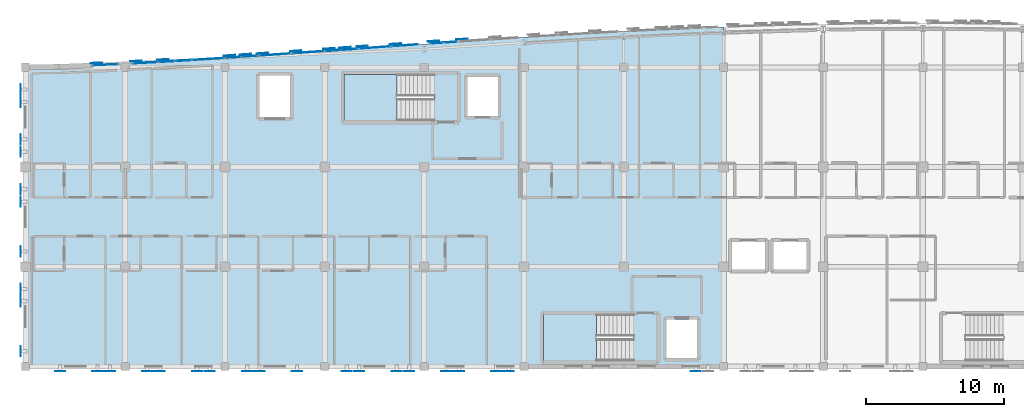
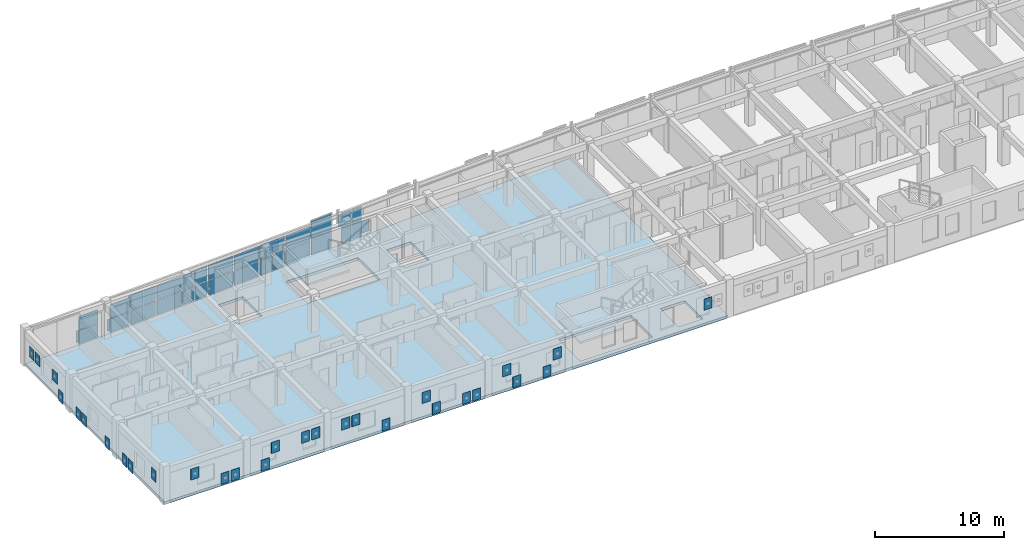
# One storey, part 31 of 48: 72 plates, 3 slabs, 13 elements without a shape of their own.
"""IFC4 building model written with IfcOpenShell, lengths in metres."""

from ifc_helpers import new_model, si_unit, direction, frame, origin, origin_2d, place, context, subcontext, project, spatial, polyline, rectangle, outline, extrude, material, layer, layer_set, type_object, element, aggregate, save


model = new_model("IFC4")

# Units and contexts
model_context = context("Model", 3, precision=1e-05, world=origin(), true_north=direction((0.0, 1.0)))
body_context = subcontext(model_context, "Body", "Model", "MODEL_VIEW")
ifc_project = project(units=[si_unit("LENGTHUNIT", "METRE"), si_unit("AREAUNIT", "SQUARE_METRE"), si_unit("VOLUMEUNIT", "CUBIC_METRE"), si_unit("PLANEANGLEUNIT", "RADIAN"), si_unit("MASSUNIT", "GRAM", prefix="KILO")], contexts=[model_context])

# Site, building, storey
site_placement = place(None, origin())
site = spatial("IfcSite", under=ifc_project, at=site_placement, CompositionType="ELEMENT")
building_placement = place(site_placement, origin())
building = spatial("IfcBuilding", under=site, at=building_placement, Name="Carrowvane Square Congress Hotel", CompositionType="ELEMENT")
storey_placement = place(building_placement, frame((0.0, 0.0, 26.39990234375)))
storey = spatial("IfcBuildingStorey", under=building, at=storey_placement, Name="L06", CompositionType="ELEMENT", Elevation=26.39990234375)

# Curtain wall, plates
ifc_material_1 = material(Name="Anodised aluminium", Category="aluminium")
ifc_layer_1 = layer(ifc_material_1, 0.162109375)
ifc_layer_set_1 = layer_set([ifc_layer_1], Name="Anodised aluminium")
curtain_wall_type_1 = type_object("IfcCurtainWallType", Name="CW-SYS-1", PredefinedType="NOTDEFINED", material=ifc_layer_set_1)
curtain_wall_1_placement = place(storey_placement, origin())
curtain_wall_1 = element("IfcCurtainWall", 1, at=curtain_wall_1_placement, inside=storey, type_object=curtain_wall_type_1, Name="L06 unitised curtain wall 360", PredefinedType="NOTDEFINED")
ifc_material_2 = material(Name="Double-glazed low-E glass", Category="glass")
ifc_layer_2 = layer(ifc_material_2, 0.028076171875)
ifc_layer_set_2 = layer_set([ifc_layer_2], Name="Double-glazed low-E glass")
plate_type_1 = type_object("IfcPlateType", Name="CW-PAN-1", PredefinedType="CURTAIN_PANEL", material=ifc_layer_set_2)
plate_1_placement = place(storey_placement, frame((46.39990234375, 113.999267578125, 0.06005859375), z_axis=(0.0, 0.0, 1.0), x_axis=(0.997996225303, 0.063273487972, 0.0)))
plate_1 = element("IfcPlate", 2, at=plate_1_placement, type_object=plate_type_1, Name="CW-1 panel 1.1", PredefinedType="CURTAIN_PANEL", context=body_context, shape_type="SweptSolid", body=[
    extrude(rectangle(XDim=2.284912109375, YDim=0.028076171875, at=origin_2d()), origin(), (0.0, 0.0, 1.0), 1.372802734375),
])
plate_2_placement = place(storey_placement, frame((46.39990234375, 113.999267578125, 1.49267578125), z_axis=(0.0, 0.0, 1.0), x_axis=(0.997996225303, 0.063273487972, 0.0)))
plate_2 = element("IfcPlate", 3, at=plate_2_placement, type_object=plate_type_1, Name="CW-1 panel 1.2", PredefinedType="CURTAIN_PANEL", context=body_context, shape_type="SweptSolid", body=[
    extrude(rectangle(XDim=2.284912109375, YDim=0.028076171875, at=origin_2d()), origin(), (0.0, 0.0, 1.0), 1.372802734375),
])
aggregate(curtain_wall_1, [plate_1, plate_2])

ifc_material_3 = material(Name="Anodised aluminium", Category="aluminium")
ifc_layer_3 = layer(ifc_material_3, 0.221923828125)
ifc_layer_set_3 = layer_set([ifc_layer_3], Name="Anodised aluminium")
curtain_wall_type_2 = type_object("IfcCurtainWallType", Name="CW-SYS-6", PredefinedType="NOTDEFINED", material=ifc_layer_set_3)
curtain_wall_2_placement = place(storey_placement, origin())
curtain_wall_2 = element("IfcCurtainWall", 4, at=curtain_wall_2_placement, inside=storey, type_object=curtain_wall_type_2, Name="L06 unitised curtain wall 365", PredefinedType="NOTDEFINED")
plate_3_placement = place(storey_placement, frame((58.39990234375, 114.8291015625, 0.070068359375), z_axis=(0.0, 0.0, 1.0), x_axis=(0.997438322595, 0.071531759512, 0.0)))
plate_3 = element("IfcPlate", 5, at=plate_3_placement, type_object=plate_type_1, Name="CW-6 panel 1.1", PredefinedType="CURTAIN_PANEL", context=body_context, shape_type="SweptSolid", body=[
    extrude(rectangle(XDim=2.26611328125, YDim=0.028076171875, at=origin_2d()), origin(), (0.0, 0.0, 1.0), 1.35791015625),
])
plate_4_placement = place(storey_placement, frame((58.39990234375, 114.8291015625, 1.497802734375), z_axis=(0.0, 0.0, 1.0), x_axis=(0.997438322595, 0.071531759512, 0.0)))
plate_4 = element("IfcPlate", 6, at=plate_4_placement, type_object=plate_type_1, Name="CW-6 panel 1.2", PredefinedType="CURTAIN_PANEL", context=body_context, shape_type="SweptSolid", body=[
    extrude(rectangle(XDim=2.26611328125, YDim=0.028076171875, at=origin_2d()), origin(), (0.0, 0.0, 1.0), 1.35791015625),
])
aggregate(curtain_wall_2, [plate_3, plate_4])

ifc_material_4 = material(Name="Anodised aluminium", Category="aluminium")
ifc_layer_4 = layer(ifc_material_4, 0.174072265625)
ifc_layer_set_4 = layer_set([ifc_layer_4], Name="Anodised aluminium")
curtain_wall_type_3 = type_object("IfcCurtainWallType", Name="CW-SYS-2", PredefinedType="NOTDEFINED", material=ifc_layer_set_4)
curtain_wall_3_placement = place(storey_placement, origin())
curtain_wall_3 = element("IfcCurtainWall", 7, at=curtain_wall_3_placement, inside=storey, type_object=curtain_wall_type_3, Name="L06 unitised curtain wall 361", PredefinedType="NOTDEFINED")
ifc_material_5 = material(Name="Double-glazed low-E glass", Category="glass")
ifc_layer_5 = layer(ifc_material_5, 0.031982421875)
ifc_layer_set_5 = layer_set([ifc_layer_5], Name="Double-glazed low-E glass")
plate_type_2 = type_object("IfcPlateType", Name="CW-PAN-2", PredefinedType="CURTAIN_PANEL", material=ifc_layer_set_5)
plate_5_placement = place(storey_placement, frame((48.217529296875, 114.116455078125, 0.070068359375), z_axis=(0.0, 0.0, 1.0), x_axis=(0.99778121937, 0.066578061501, 0.0)))
plate_5 = element("IfcPlate", 8, at=plate_5_placement, type_object=plate_type_2, Name="CW-2 panel 1.1", PredefinedType="CURTAIN_PANEL", context=body_context, shape_type="SweptSolid", body=[
    extrude(rectangle(XDim=1.09765625, YDim=0.031982421875, at=origin_2d()), origin(), (0.0, 0.0, 1.0), 1.35791015625),
])
plate_6_placement = place(storey_placement, frame((48.217529296875, 114.116455078125, 1.497802734375), z_axis=(0.0, 0.0, 1.0), x_axis=(0.99778121937, 0.066578061501, 0.0)))
plate_6 = element("IfcPlate", 9, at=plate_6_placement, type_object=plate_type_2, Name="CW-2 panel 1.2", PredefinedType="CURTAIN_PANEL", context=body_context, shape_type="SweptSolid", body=[
    extrude(rectangle(XDim=1.09765625, YDim=0.031982421875, at=origin_2d()), origin(), (0.0, 0.0, 1.0), 1.35791015625),
])
plate_7_placement = place(storey_placement, frame((49.382568359375, 114.1943359375, 0.070068359375), z_axis=(0.0, 0.0, 1.0), x_axis=(0.99778121937, 0.066578061501, 0.0)))
plate_7 = element("IfcPlate", 10, at=plate_7_placement, type_object=plate_type_2, Name="CW-2 panel 2.1", PredefinedType="CURTAIN_PANEL", context=body_context, shape_type="SweptSolid", body=[
    extrude(rectangle(XDim=1.09765625, YDim=0.031982421875, at=origin_2d()), origin(), (0.0, 0.0, 1.0), 1.35791015625),
])
plate_8_placement = place(storey_placement, frame((49.382568359375, 114.1943359375, 1.497802734375), z_axis=(0.0, 0.0, 1.0), x_axis=(0.99778121937, 0.066578061501, 0.0)))
plate_8 = element("IfcPlate", 11, at=plate_8_placement, type_object=plate_type_2, Name="CW-2 panel 2.2", PredefinedType="CURTAIN_PANEL", context=body_context, shape_type="SweptSolid", body=[
    extrude(rectangle(XDim=1.09765625, YDim=0.031982421875, at=origin_2d()), origin(), (0.0, 0.0, 1.0), 1.35791015625),
])
aggregate(curtain_wall_3, [plate_5, plate_6, plate_7, plate_8])

ifc_material_6 = material(Name="Anodised aluminium", Category="aluminium")
ifc_layer_6 = layer(ifc_material_6, 0.23388671875)
ifc_layer_set_6 = layer_set([ifc_layer_6], Name="Anodised aluminium")
curtain_wall_type_4 = type_object("IfcCurtainWallType", Name="CW-SYS-7", PredefinedType="NOTDEFINED", material=ifc_layer_set_6)
curtain_wall_4_placement = place(storey_placement, origin())
curtain_wall_4 = element("IfcCurtainWall", 12, at=curtain_wall_4_placement, inside=storey, type_object=curtain_wall_type_4, Name="L06 unitised curtain wall 366", PredefinedType="NOTDEFINED")
plate_9_placement = place(storey_placement, frame((60.5947265625, 114.986083984375, 0.06005859375), z_axis=(0.0, 0.0, 1.0), x_axis=(0.997479146426, 0.070960217342, 0.0)))
plate_9 = element("IfcPlate", 13, at=plate_9_placement, type_object=plate_type_2, Name="CW-7 panel 1.1", PredefinedType="CURTAIN_PANEL", context=body_context, shape_type="SweptSolid", body=[
    extrude(rectangle(XDim=1.87451171875, YDim=0.031982421875, at=origin_2d()), origin(), (0.0, 0.0, 1.0), 1.5849609375),
])
plate_10_placement = place(storey_placement, frame((60.5947265625, 114.986083984375, 1.705078125), z_axis=(0.0, 0.0, 1.0), x_axis=(0.997479146426, 0.070960217342, 0.0)))
plate_10 = element("IfcPlate", 14, at=plate_10_placement, type_object=plate_type_2, Name="CW-7 panel 1.2", PredefinedType="CURTAIN_PANEL", context=body_context, shape_type="SweptSolid", body=[
    extrude(rectangle(XDim=1.87451171875, YDim=0.031982421875, at=origin_2d()), origin(), (0.0, 0.0, 1.0), 1.5849609375),
])
aggregate(curtain_wall_4, [plate_9, plate_10])

curtain_wall_5_placement = place(storey_placement, origin())
curtain_wall_5 = element("IfcCurtainWall", 15, at=curtain_wall_5_placement, inside=storey, type_object=curtain_wall_type_2, Name="L06 unitised curtain wall 357", PredefinedType="NOTDEFINED")
ifc_material_7 = material(Name="Double-glazed low-E glass", Category="glass")
ifc_layer_7 = layer(ifc_material_7, 0.035888671875)
ifc_layer_set_7 = layer_set([ifc_layer_7], Name="Double-glazed low-E glass")
plate_type_3 = type_object("IfcPlateType", Name="CW-PAN-3", PredefinedType="CURTAIN_PANEL", material=ifc_layer_set_7)
plate_11_placement = place(storey_placement, frame((38.955810546875, 113.58544921875, 0.0703125), z_axis=(0.0, 0.0, 1.0), x_axis=(0.998917263935, 0.046522035775, 0.0)))
plate_11 = element("IfcPlate", 16, at=plate_11_placement, type_object=plate_type_3, Name="CW-6 panel 1.1", PredefinedType="CURTAIN_PANEL", context=body_context, shape_type="SweptSolid", body=[
    extrude(rectangle(XDim=1.7734375, YDim=0.035888671875, at=origin_2d()), origin(), (0.0, 0.0, 1.0), 1.262451171875),
])
plate_12_placement = place(storey_placement, frame((38.955810546875, 113.58544921875, 1.40283203125), z_axis=(0.0, 0.0, 1.0), x_axis=(0.998917263935, 0.046522035775, 0.0)))
plate_12 = element("IfcPlate", 17, at=plate_12_placement, type_object=plate_type_3, Name="CW-6 panel 1.2", PredefinedType="CURTAIN_PANEL", context=body_context, shape_type="SweptSolid", body=[
    extrude(rectangle(XDim=1.7734375, YDim=0.035888671875, at=origin_2d()), origin(), (0.0, 0.0, 1.0), 1.262451171875),
])
aggregate(curtain_wall_5, [plate_11, plate_12])

ifc_material_8 = material(Name="Anodised aluminium", Category="aluminium")
ifc_layer_8 = layer(ifc_material_8, 0.18603515625)
ifc_layer_set_8 = layer_set([ifc_layer_8], Name="Anodised aluminium")
curtain_wall_type_5 = type_object("IfcCurtainWallType", Name="CW-SYS-3", PredefinedType="NOTDEFINED", material=ifc_layer_set_8)
curtain_wall_6_placement = place(storey_placement, origin())
curtain_wall_6 = element("IfcCurtainWall", 18, at=curtain_wall_6_placement, inside=storey, type_object=curtain_wall_type_5, Name="L06 unitised curtain wall 362", PredefinedType="NOTDEFINED")
plate_13_placement = place(storey_placement, frame((51.199951171875, 114.318359375, 0.06005859375), z_axis=(0.0, 0.0, 1.0), x_axis=(0.997617619706, 0.068986120725, 0.0)))
plate_13 = element("IfcPlate", 19, at=plate_13_placement, type_object=plate_type_3, Name="CW-3 panel 1.1", PredefinedType="CURTAIN_PANEL", context=body_context, shape_type="SweptSolid", body=[
    extrude(rectangle(XDim=2.28564453125, YDim=0.035888671875, at=origin_2d()), origin(), (0.0, 0.0, 1.0), 1.372802734375),
])
plate_14_placement = place(storey_placement, frame((51.199951171875, 114.318359375, 1.49267578125), z_axis=(0.0, 0.0, 1.0), x_axis=(0.997617619706, 0.068986120725, 0.0)))
plate_14 = element("IfcPlate", 20, at=plate_14_placement, type_object=plate_type_3, Name="CW-3 panel 1.2", PredefinedType="CURTAIN_PANEL", context=body_context, shape_type="SweptSolid", body=[
    extrude(rectangle(XDim=2.28564453125, YDim=0.035888671875, at=origin_2d()), origin(), (0.0, 0.0, 1.0), 1.372802734375),
])
aggregate(curtain_wall_6, [plate_13, plate_14])

ifc_material_9 = material(Name="Anodised aluminium", Category="aluminium")
ifc_layer_9 = layer(ifc_material_9, 0.24609375)
ifc_layer_set_9 = layer_set([ifc_layer_9], Name="Anodised aluminium")
curtain_wall_type_6 = type_object("IfcCurtainWallType", Name="CW-SYS-8", PredefinedType="NOTDEFINED", material=ifc_layer_set_9)
curtain_wall_7_placement = place(storey_placement, origin())
curtain_wall_7 = element("IfcCurtainWall", 21, at=curtain_wall_7_placement, inside=storey, type_object=curtain_wall_type_6, Name="L06 unitised curtain wall 367", PredefinedType="NOTDEFINED")
plate_15_placement = place(storey_placement, frame((62.885498046875, 115.14794921875, 0.070068359375), z_axis=(0.0, 0.0, 1.0), x_axis=(0.997566332949, 0.069723822092, 0.0)))
plate_15 = element("IfcPlate", 22, at=plate_15_placement, type_object=plate_type_3, Name="CW-8 panel 1.1", PredefinedType="CURTAIN_PANEL", context=body_context, shape_type="SweptSolid", body=[
    extrude(rectangle(XDim=0.9189453125, YDim=0.035888671875, at=origin_2d()), origin(), (0.0, 0.0, 1.0), 1.35791015625),
])
plate_16_placement = place(storey_placement, frame((62.885498046875, 115.14794921875, 1.497802734375), z_axis=(0.0, 0.0, 1.0), x_axis=(0.997566332949, 0.069723822092, 0.0)))
plate_16 = element("IfcPlate", 23, at=plate_16_placement, type_object=plate_type_3, Name="CW-8 panel 1.2", PredefinedType="CURTAIN_PANEL", context=body_context, shape_type="SweptSolid", body=[
    extrude(rectangle(XDim=0.9189453125, YDim=0.035888671875, at=origin_2d()), origin(), (0.0, 0.0, 1.0), 1.35791015625),
])
plate_17_placement = place(storey_placement, frame((63.871826171875, 115.216796875, 0.070068359375), z_axis=(0.0, 0.0, 1.0), x_axis=(0.997566332949, 0.069723822092, 0.0)))
plate_17 = element("IfcPlate", 24, at=plate_17_placement, type_object=plate_type_3, Name="CW-8 panel 2.1", PredefinedType="CURTAIN_PANEL", context=body_context, shape_type="SweptSolid", body=[
    extrude(rectangle(XDim=0.9189453125, YDim=0.035888671875, at=origin_2d()), origin(), (0.0, 0.0, 1.0), 1.35791015625),
])
plate_18_placement = place(storey_placement, frame((63.871826171875, 115.216796875, 1.497802734375), z_axis=(0.0, 0.0, 1.0), x_axis=(0.997566332949, 0.069723822092, 0.0)))
plate_18 = element("IfcPlate", 25, at=plate_18_placement, type_object=plate_type_3, Name="CW-8 panel 2.2", PredefinedType="CURTAIN_PANEL", context=body_context, shape_type="SweptSolid", body=[
    extrude(rectangle(XDim=0.9189453125, YDim=0.035888671875, at=origin_2d()), origin(), (0.0, 0.0, 1.0), 1.35791015625),
])
aggregate(curtain_wall_7, [plate_15, plate_16, plate_17, plate_18])

curtain_wall_8_placement = place(storey_placement, origin())
curtain_wall_8 = element("IfcCurtainWall", 26, at=curtain_wall_8_placement, inside=storey, type_object=curtain_wall_type_4, Name="L06 unitised curtain wall 358", PredefinedType="NOTDEFINED")
ifc_material_10 = material(Name="Double-glazed low-E glass", Category="glass")
ifc_layer_10 = layer(ifc_material_10, 0.0419921875)
ifc_layer_set_10 = layer_set([ifc_layer_10], Name="Double-glazed low-E glass")
plate_type_4 = type_object("IfcPlateType", Name="CW-PAN-4", PredefinedType="CURTAIN_PANEL", material=ifc_layer_set_10)
plate_19_placement = place(storey_placement, frame((41.83154296875, 113.7294921875, 0.06005859375), z_axis=(0.0, 0.0, 1.0), x_axis=(0.998567109091, 0.053513817306, 0.0)))
plate_19 = element("IfcPlate", 27, at=plate_19_placement, type_object=plate_type_4, Name="CW-7 panel 1.1", PredefinedType="CURTAIN_PANEL", context=body_context, shape_type="SweptSolid", body=[
    extrude(rectangle(XDim=1.819580078125, YDim=0.0419921875, at=origin_2d()), origin(), (0.0, 0.0, 1.0), 1.277587890625),
])
plate_20_placement = place(storey_placement, frame((41.83154296875, 113.7294921875, 1.3974609375), z_axis=(0.0, 0.0, 1.0), x_axis=(0.998567109091, 0.053513817306, 0.0)))
plate_20 = element("IfcPlate", 28, at=plate_20_placement, type_object=plate_type_4, Name="CW-7 panel 1.2", PredefinedType="CURTAIN_PANEL", context=body_context, shape_type="SweptSolid", body=[
    extrude(rectangle(XDim=1.819580078125, YDim=0.0419921875, at=origin_2d()), origin(), (0.0, 0.0, 1.0), 1.277587890625),
])
aggregate(curtain_wall_8, [plate_19, plate_20])

ifc_material_11 = material(Name="Anodised aluminium", Category="aluminium")
ifc_layer_11 = layer(ifc_material_11, 0.197998046875)
ifc_layer_set_11 = layer_set([ifc_layer_11], Name="Anodised aluminium")
curtain_wall_type_7 = type_object("IfcCurtainWallType", Name="CW-SYS-4", PredefinedType="NOTDEFINED", material=ifc_layer_set_11)
curtain_wall_9_placement = place(storey_placement, origin())
curtain_wall_9 = element("IfcCurtainWall", 29, at=curtain_wall_9_placement, inside=storey, type_object=curtain_wall_type_7, Name="L06 unitised curtain wall 363", PredefinedType="NOTDEFINED")
plate_21_placement = place(storey_placement, frame((53.60009765625, 114.486328125, 0.070068359375), z_axis=(0.0, 0.0, 1.0), x_axis=(0.997505697746, 0.070585996942, 0.0)))
plate_21 = element("IfcPlate", 30, at=plate_21_placement, type_object=plate_type_4, Name="CW-4 panel 1.1", PredefinedType="CURTAIN_PANEL", context=body_context, shape_type="SweptSolid", body=[
    extrude(rectangle(XDim=2.26611328125, YDim=0.0419921875, at=origin_2d()), origin(), (0.0, 0.0, 1.0), 1.35791015625),
])
plate_22_placement = place(storey_placement, frame((53.60009765625, 114.486328125, 1.497802734375), z_axis=(0.0, 0.0, 1.0), x_axis=(0.997505697746, 0.070585996942, 0.0)))
plate_22 = element("IfcPlate", 31, at=plate_22_placement, type_object=plate_type_4, Name="CW-4 panel 1.2", PredefinedType="CURTAIN_PANEL", context=body_context, shape_type="SweptSolid", body=[
    extrude(rectangle(XDim=2.26611328125, YDim=0.0419921875, at=origin_2d()), origin(), (0.0, 0.0, 1.0), 1.35791015625),
])
aggregate(curtain_wall_9, [plate_21, plate_22])

curtain_wall_10_placement = place(storey_placement, origin())
curtain_wall_10 = element("IfcCurtainWall", 32, at=curtain_wall_10_placement, inside=storey, type_object=curtain_wall_type_6, Name="L06 unitised curtain wall 359", PredefinedType="NOTDEFINED")
ifc_material_12 = material(Name="Double-glazed low-E glass", Category="glass")
ifc_layer_12 = layer(ifc_material_12, 0.048095703125)
ifc_layer_set_12 = layer_set([ifc_layer_12], Name="Double-glazed low-E glass")
plate_type_5 = type_object("IfcPlateType", Name="CW-PAN-5", PredefinedType="CURTAIN_PANEL", material=ifc_layer_set_12)
plate_23_placement = place(storey_placement, frame((43.41748046875, 113.81787109375, 0.070068359375), z_axis=(0.0, 0.0, 1.0), x_axis=(0.99825866099, 0.058988522254, 0.0)))
plate_23 = element("IfcPlate", 33, at=plate_23_placement, type_object=plate_type_5, Name="CW-8 panel 1.1", PredefinedType="CURTAIN_PANEL", context=body_context, shape_type="SweptSolid", body=[
    extrude(rectangle(XDim=1.09716796875, YDim=0.048095703125, at=origin_2d()), origin(), (0.0, 0.0, 1.0), 1.35791015625),
])
plate_24_placement = place(storey_placement, frame((43.41748046875, 113.81787109375, 1.497802734375), z_axis=(0.0, 0.0, 1.0), x_axis=(0.99825866099, 0.058988522254, 0.0)))
plate_24 = element("IfcPlate", 34, at=plate_24_placement, type_object=plate_type_5, Name="CW-8 panel 1.2", PredefinedType="CURTAIN_PANEL", context=body_context, shape_type="SweptSolid", body=[
    extrude(rectangle(XDim=1.09716796875, YDim=0.048095703125, at=origin_2d()), origin(), (0.0, 0.0, 1.0), 1.35791015625),
])
plate_25_placement = place(storey_placement, frame((44.58251953125, 113.88671875, 0.070068359375), z_axis=(0.0, 0.0, 1.0), x_axis=(0.99825866099, 0.058988522254, 0.0)))
plate_25 = element("IfcPlate", 35, at=plate_25_placement, type_object=plate_type_5, Name="CW-8 panel 2.1", PredefinedType="CURTAIN_PANEL", context=body_context, shape_type="SweptSolid", body=[
    extrude(rectangle(XDim=1.09716796875, YDim=0.048095703125, at=origin_2d()), origin(), (0.0, 0.0, 1.0), 1.35791015625),
])
plate_26_placement = place(storey_placement, frame((44.58251953125, 113.88671875, 1.497802734375), z_axis=(0.0, 0.0, 1.0), x_axis=(0.99825866099, 0.058988522254, 0.0)))
plate_26 = element("IfcPlate", 36, at=plate_26_placement, type_object=plate_type_5, Name="CW-8 panel 2.2", PredefinedType="CURTAIN_PANEL", context=body_context, shape_type="SweptSolid", body=[
    extrude(rectangle(XDim=1.09716796875, YDim=0.048095703125, at=origin_2d()), origin(), (0.0, 0.0, 1.0), 1.35791015625),
])
aggregate(curtain_wall_10, [plate_23, plate_24, plate_25, plate_26])

ifc_material_13 = material(Name="Anodised aluminium", Category="aluminium")
ifc_layer_13 = layer(ifc_material_13, 0.2099609375)
ifc_layer_set_13 = layer_set([ifc_layer_13], Name="Anodised aluminium")
curtain_wall_type_8 = type_object("IfcCurtainWallType", Name="CW-SYS-5", PredefinedType="NOTDEFINED", material=ifc_layer_set_13)
curtain_wall_11_placement = place(storey_placement, origin())
curtain_wall_11 = element("IfcCurtainWall", 37, at=curtain_wall_11_placement, inside=storey, type_object=curtain_wall_type_8, Name="L06 unitised curtain wall 364", PredefinedType="NOTDEFINED")
plate_27_placement = place(storey_placement, frame((55.4150390625, 114.615234375, 0.06005859375), z_axis=(0.0, 0.0, 1.0), x_axis=(0.997446448898, 0.071418356042, 0.0)))
plate_27 = element("IfcPlate", 38, at=plate_27_placement, type_object=plate_type_5, Name="CW-5 panel 1.1", PredefinedType="CURTAIN_PANEL", context=body_context, shape_type="SweptSolid", body=[
    extrude(rectangle(XDim=1.113037109375, YDim=0.048095703125, at=origin_2d()), origin(), (0.0, 0.0, 1.0), 1.372802734375),
])
plate_28_placement = place(storey_placement, frame((55.4150390625, 114.615234375, 1.49267578125), z_axis=(0.0, 0.0, 1.0), x_axis=(0.997446448898, 0.071418356042, 0.0)))
plate_28 = element("IfcPlate", 39, at=plate_28_placement, type_object=plate_type_5, Name="CW-5 panel 1.2", PredefinedType="CURTAIN_PANEL", context=body_context, shape_type="SweptSolid", body=[
    extrude(rectangle(XDim=1.113037109375, YDim=0.048095703125, at=origin_2d()), origin(), (0.0, 0.0, 1.0), 1.372802734375),
])
plate_29_placement = place(storey_placement, frame((56.5849609375, 114.698974609375, 0.06005859375), z_axis=(0.0, 0.0, 1.0), x_axis=(0.997446448898, 0.071418356042, 0.0)))
plate_29 = element("IfcPlate", 40, at=plate_29_placement, type_object=plate_type_5, Name="CW-5 panel 2.1", PredefinedType="CURTAIN_PANEL", context=body_context, shape_type="SweptSolid", body=[
    extrude(rectangle(XDim=1.113037109375, YDim=0.048095703125, at=origin_2d()), origin(), (0.0, 0.0, 1.0), 1.372802734375),
])
plate_30_placement = place(storey_placement, frame((56.5849609375, 114.698974609375, 1.49267578125), z_axis=(0.0, 0.0, 1.0), x_axis=(0.997446448898, 0.071418356042, 0.0)))
plate_30 = element("IfcPlate", 41, at=plate_30_placement, type_object=plate_type_5, Name="CW-5 panel 2.2", PredefinedType="CURTAIN_PANEL", context=body_context, shape_type="SweptSolid", body=[
    extrude(rectangle(XDim=1.113037109375, YDim=0.048095703125, at=origin_2d()), origin(), (0.0, 0.0, 1.0), 1.372802734375),
])
aggregate(curtain_wall_11, [plate_27, plate_28, plate_29, plate_30])

# Plates
ifc_material_14 = material(Name="Champagne-gold anodised aluminium", Category="aluminium")
ifc_layer_14 = layer(ifc_material_14, 0.011962890625)
ifc_layer_set_14 = layer_set([ifc_layer_14], Name="Champagne-gold anodised aluminium")
plate_type_6 = type_object("IfcPlateType", Name="PLT-PIX-GOLD12", PredefinedType="SHEET", material=ifc_layer_set_14)
for number, where, z_axis, x_axis, name in (
    (42, (38.316650390625, 113.721923828125, 0.1201171875), (0.0, 0.0, 1.0), (0.99891730083, 0.046521243556, 0.0), "Champagne-gold pixel screen plate 514"),
    (43, (43.114501953125, 113.96630859375, 1.590087890625), (0.0, 0.0, 1.0), (0.998258866948, 0.05898503675, 0.0), "Champagne-gold pixel screen plate 516"),
    (44, (47.9130859375, 114.2626953125, 0.1201171875), (0.0, 0.0, 1.0), (0.997781458784, 0.066574473385, 0.0), "Champagne-gold pixel screen plate 517"),
    (45, (49.078125, 114.34033203125, 1.590087890625), (0.0, 0.0, 1.0), (0.997781458784, 0.066574473385, 0.0), "Champagne-gold pixel screen plate 518"),
    (46, (52.712158203125, 114.58984375, 0.1201171875), (0.0, 0.0, 1.0), (0.997505756275, 0.070585169822, 0.0), "Champagne-gold pixel screen plate 520"),
    (47, (57.51220703125, 114.931884765625, 0.1201171875), (0.0, 0.0, 1.0), (0.997438267187, 0.071532532122, 0.0), "Champagne-gold pixel screen plate 523"),
    (48, (62.669677734375, 115.299072265625, 1.590087890625), (0.0, 0.0, 1.0), (0.997566258056, 0.069724893606, 0.0), "Champagne-gold pixel screen plate 525"),
):
    element("IfcPlate", number, at=place(storey_placement, frame(where, z_axis=z_axis, x_axis=x_axis)), inside=storey, type_object=plate_type_6, Name=name, PredefinedType="SHEET", context=body_context, shape_type="SweptSolid", body=[
        extrude(rectangle(XDim=0.827880859375, YDim=0.011962890625, at=origin_2d()), origin(), (0.0, 0.0, 1.0), 1.1201171875),
    ])
for number, where, z_axis, x_axis, name in (
    (49, (81.60009765625, 91.4541015625, 1.52490234375), (0.0, 0.0, 1.0), (-1.0, 0.0, 0.0), "Champagne-gold pixel screen plate S-611"),
    (50, (68.10009765625, 91.4541015625, 1.52490234375), (0.0, 0.0, 1.0), (-1.0, 0.0, 0.0), "Champagne-gold pixel screen plate S-612"),
    (51, (67.199951171875, 91.4541015625, 0.1552734375), (0.0, 0.0, 1.0), (-1.0, 0.0, 0.0), "Champagne-gold pixel screen plate S-613"),
    (52, (64.5, 91.4541015625, 0.1552734375), (0.0, 0.0, 1.0), (-1.0, 0.0, 0.0), "Champagne-gold pixel screen plate S-614"),
    (53, (63.60009765625, 91.4541015625, 1.52490234375), (0.0, 0.0, 1.0), (-1.0, 0.0, 0.0), "Champagne-gold pixel screen plate S-615"),
    (54, (52.800048828125, 91.4541015625, 0.1552734375), (0.0, 0.0, 1.0), (-1.0, 0.0, 0.0), "Champagne-gold pixel screen plate S-620"),
    (55, (50.10009765625, 91.4541015625, 1.52490234375), (0.0, 0.0, 1.0), (-1.0, 0.0, 0.0), "Champagne-gold pixel screen plate S-621"),
    (56, (49.199951171875, 91.4541015625, 1.52490234375), (0.0, 0.0, 1.0), (-1.0, 0.0, 0.0), "Champagne-gold pixel screen plate S-622"),
    (57, (39.300048828125, 91.4541015625, 0.1552734375), (0.0, 0.0, 1.0), (-1.0, 0.0, 0.0), "Champagne-gold pixel screen plate S-627"),
    (58, (38.39990234375, 91.4541015625, 0.1552734375), (0.0, 0.0, 1.0), (-1.0, 0.0, 0.0), "Champagne-gold pixel screen plate S-628"),
    (59, (35.699951171875, 91.4541015625, 1.52490234375), (0.0, 0.0, 1.0), (-1.0, 0.0, 0.0), "Champagne-gold pixel screen plate S-629"),
    (60, (32.85400390625, 100.10009765625, 0.1552734375), (0.0, 0.0, 1.0), (0.0, 1.0, 0.0), "Champagne-gold pixel screen plate S-633"),
    (61, (32.85400390625, 103.699951171875, 0.1552734375), (0.0, 0.0, 1.0), (0.0, 1.0, 0.0), "Champagne-gold pixel screen plate S-634"),
    (62, (32.85400390625, 104.60009765625, 0.1552734375), (0.0, 0.0, 1.0), (0.0, 1.0, 0.0), "Champagne-gold pixel screen plate S-635"),
):
    element("IfcPlate", number, at=place(storey_placement, frame(where, z_axis=z_axis, x_axis=x_axis)), inside=storey, type_object=plate_type_6, Name=name, PredefinedType="SHEET", context=body_context, shape_type="SweptSolid", body=[
        extrude(rectangle(XDim=0.738037109375, YDim=0.011962890625, at=origin_2d()), origin(), (0.0, 0.0, 1.0), 1.050048828125),
    ])
ifc_material_15 = material(Name="Champagne-gold anodised aluminium", Category="aluminium")
ifc_layer_15 = layer(ifc_material_15, 0.008056640625)
ifc_layer_set_15 = layer_set([ifc_layer_15], Name="Champagne-gold anodised aluminium")
plate_type_7 = type_object("IfcPlateType", Name="PLT-PIX-GOLD8", PredefinedType="SHEET", material=ifc_layer_set_15)
for number, where, z_axis, x_axis, name in (
    (63, (41.173828125, 113.8583984375, 0.1201171875), (0.0, 0.0, 1.0), (0.998566941363, 0.053516947007, 0.0), "Champagne-gold pixel screen plate 515"),
    (64, (50.3076171875, 114.421142578125, 0.1201171875), (0.0, 0.0, 1.0), (0.99761759323, 0.068986503591, 0.0), "Champagne-gold pixel screen plate 519"),
    (65, (55.107177734375, 114.757568359375, 1.590087890625), (0.0, 0.0, 1.0), (0.997446326449, 0.071420066188, 0.0), "Champagne-gold pixel screen plate 521"),
    (66, (56.27734375, 114.841552734375, 1.590087890625), (0.0, 0.0, 1.0), (0.997446326449, 0.071420066188, 0.0), "Champagne-gold pixel screen plate 522"),
    (67, (59.907470703125, 115.1015625, 1.590087890625), (0.0, 0.0, 1.0), (0.997479379392, 0.070956942496, 0.0), "Champagne-gold pixel screen plate 524"),
    (68, (64.7080078125, 115.43896484375, 0.1201171875), (0.0, 0.0, 1.0), (0.9976944394, 0.067866085713, 0.0), "Champagne-gold pixel screen plate 526"),
):
    element("IfcPlate", number, at=place(storey_placement, frame(where, z_axis=z_axis, x_axis=x_axis)), inside=storey, type_object=plate_type_7, Name=name, PredefinedType="SHEET", context=body_context, shape_type="SweptSolid", body=[
        extrude(rectangle(XDim=0.827880859375, YDim=0.008056640625, at=origin_2d()), origin(), (0.0, 0.0, 1.0), 1.1201171875),
    ])
for number, where, z_axis, x_axis, name in (
    (69, (60.89990234375, 91.4560546875, 0.1552734375), (0.0, 0.0, 1.0), (-1.0, 0.0, 0.0), "Champagne-gold pixel screen plate S-616"),
    (70, (60.0, 91.4560546875, 0.1552734375), (0.0, 0.0, 1.0), (-1.0, 0.0, 0.0), "Champagne-gold pixel screen plate S-617"),
    (71, (57.300048828125, 91.4560546875, 0.1552734375), (0.0, 0.0, 1.0), (-1.0, 0.0, 0.0), "Champagne-gold pixel screen plate S-618"),
    (72, (56.39990234375, 91.4560546875, 1.52490234375), (0.0, 0.0, 1.0), (-1.0, 0.0, 0.0), "Champagne-gold pixel screen plate S-619"),
    (73, (46.5, 91.4560546875, 1.52490234375), (0.0, 0.0, 1.0), (-1.0, 0.0, 0.0), "Champagne-gold pixel screen plate S-623"),
    (74, (45.60009765625, 91.4560546875, 1.52490234375), (0.0, 0.0, 1.0), (-1.0, 0.0, 0.0), "Champagne-gold pixel screen plate S-624"),
    (75, (42.89990234375, 91.4560546875, 1.52490234375), (0.0, 0.0, 1.0), (-1.0, 0.0, 0.0), "Champagne-gold pixel screen plate S-625"),
    (76, (42.0, 91.4560546875, 0.1552734375), (0.0, 0.0, 1.0), (-1.0, 0.0, 0.0), "Champagne-gold pixel screen plate S-626"),
    (77, (32.85595703125, 92.89990234375, 1.51025390625), (0.0, 0.0, 1.0), (0.0, 1.0, 0.0), "Champagne-gold pixel screen plate S-630"),
    (78, (32.85595703125, 96.5, 0.1552734375), (0.0, 0.0, 1.0), (0.0, 1.0, 0.0), "Champagne-gold pixel screen plate S-631"),
    (79, (32.85595703125, 97.39990234375, 0.1552734375), (0.0, 0.0, 1.0), (0.0, 1.0, 0.0), "Champagne-gold pixel screen plate S-632"),
    (80, (32.85595703125, 107.300048828125, 0.1552734375), (0.0, 0.0, 1.0), (0.0, 1.0, 0.0), "Champagne-gold pixel screen plate S-636"),
    (81, (32.85595703125, 108.199951171875, 1.51025390625), (0.0, 0.0, 1.0), (0.0, 1.0, 0.0), "Champagne-gold pixel screen plate S-637"),
    (82, (32.85595703125, 110.89990234375, 1.51025390625), (0.0, 0.0, 1.0), (0.0, 1.0, 0.0), "Champagne-gold pixel screen plate S-638"),
    (83, (32.85595703125, 111.800048828125, 1.51025390625), (0.0, 0.0, 1.0), (0.0, 1.0, 0.0), "Champagne-gold pixel screen plate S-639"),
):
    element("IfcPlate", number, at=place(storey_placement, frame(where, z_axis=z_axis, x_axis=x_axis)), inside=storey, type_object=plate_type_7, Name=name, PredefinedType="SHEET", context=body_context, shape_type="SweptSolid", body=[
        extrude(rectangle(XDim=0.738037109375, YDim=0.008056640625, at=origin_2d()), origin(), (0.0, 0.0, 1.0), 1.050048828125),
    ])

# Slab
ifc_material_16 = material(Name="Concrete C35/45", Category="concrete")
ifc_layer_16 = layer(ifc_material_16, 0.25)
ifc_layer_set_16 = layer_set([ifc_layer_16], Name="Concrete C35/45")
slab_type_1 = type_object("IfcSlabType", Name="SLB-FLR-250", PredefinedType="FLOOR", material=ifc_layer_set_16)
slab_1_placement = place(storey_placement, frame((0.0, 0.0, -0.25)))
element("IfcSlab", 84, at=slab_1_placement, inside=storey, type_object=slab_type_1, Name="L06 Hotel Wing slab panel 1", PredefinedType="FLOOR", context=body_context, shape_type="SweptSolid", body=[
    extrude(outline(polyline([(33.199951171875, 91.800048828125), (83.60009765625, 91.800048828125), (83.60009765625, 116.323974609375), (81.199951171875, 116.2275390625), (78.800048828125, 116.118408203125), (76.39990234375, 115.99755859375), (74.0, 115.86572265625), (71.60009765625, 115.724365234375), (69.199951171875, 115.57421875), (66.800048828125, 115.4169921875), (64.39990234375, 115.253662109375), (62.0, 115.0859375), (59.60009765625, 114.915283203125), (57.199951171875, 114.7431640625), (54.800048828125, 114.5712890625), (52.39990234375, 114.4013671875), (50.0, 114.235595703125), (47.60009765625, 114.075439453125), (45.199951171875, 113.923095703125), (42.800048828125, 113.78125), (40.39990234375, 113.65283203125), (38.0, 113.541015625), (35.60009765625, 113.45166015625), (33.199951171875, 113.39990234375), (33.199951171875, 91.800048828125)]), holes=[polyline([(62.679931640625, 112.89990234375), (56.199951171875, 112.89990234375), (56.199951171875, 109.5400390625), (62.679931640625, 109.5400390625), (62.679931640625, 112.89990234375)]), polyline([(77.080078125, 95.56005859375), (70.60009765625, 95.56005859375), (70.60009765625, 92.199951171875), (77.080078125, 92.199951171875), (77.080078125, 95.56005859375)]), polyline([(65.10009765625, 109.89990234375), (67.300048828125, 109.89990234375), (67.300048828125, 112.699951171875), (65.10009765625, 112.699951171875), (65.10009765625, 109.89990234375)]), polyline([(79.5, 92.39990234375), (81.699951171875, 92.39990234375), (81.699951171875, 95.199951171875), (79.5, 95.199951171875), (79.5, 92.39990234375)]), polyline([(50.10009765625, 109.800048828125), (52.300048828125, 109.800048828125), (52.300048828125, 112.800048828125), (50.10009765625, 112.800048828125), (50.10009765625, 109.800048828125)])]), origin(), (0.0, 0.0, 1.0), 0.25),
])

# Stair, slab
ifc_material_17 = material(Name="Concrete C35/45", Category="concrete")
stair_type = type_object("IfcStairType", Name="STR-DOG-02", PredefinedType="HALF_TURN_STAIR", material=ifc_material_17)
stair_1_placement = place(storey_placement, origin())
stair_1 = element("IfcStair", 85, at=stair_1_placement, inside=storey, type_object=stair_type, Name="L06 Core C1 West Hotel Firefighting Stair", PredefinedType="HALF_TURN_STAIR")
ifc_material_18 = material(Name="Concrete C35/45", Category="concrete")
ifc_layer_17 = layer(ifc_material_18, 0.199951171875)
ifc_layer_set_17 = layer_set([ifc_layer_17], Name="Concrete C35/45")
slab_type_2 = type_object("IfcSlabType", Name="SLB-LND-200", PredefinedType="LANDING", material=ifc_layer_set_17)
slab_2_placement = place(storey_placement, frame((0.0, 0.0, 1.60009765625)))
slab_2 = element("IfcSlab", 86, at=slab_2_placement, type_object=slab_type_2, Name="ST1 landing 1", PredefinedType="LANDING", context=body_context, shape_type="SweptSolid", body=[
    extrude(outline(polyline([(60.02001953125, 112.89990234375), (56.199951171875, 112.89990234375), (56.199951171875, 109.5400390625), (60.02001953125, 109.5400390625), (60.02001953125, 112.89990234375)])), origin(), (0.0, 0.0, 1.0), 0.199951171875),
])
aggregate(stair_1, [slab_2])

stair_2_placement = place(storey_placement, origin())
stair_2 = element("IfcStair", 87, at=stair_2_placement, inside=storey, type_object=stair_type, Name="L06 Core C2 Central Hotel Firefighting Stair", PredefinedType="HALF_TURN_STAIR")
slab_3_placement = place(storey_placement, frame((0.0, 0.0, 1.60009765625)))
slab_3 = element("IfcSlab", 88, at=slab_3_placement, type_object=slab_type_2, Name="ST2 landing 1", PredefinedType="LANDING", context=body_context, shape_type="SweptSolid", body=[
    extrude(outline(polyline([(74.419921875, 95.56005859375), (70.60009765625, 95.56005859375), (70.60009765625, 92.199951171875), (74.419921875, 92.199951171875), (74.419921875, 95.56005859375)])), origin(), (0.0, 0.0, 1.0), 0.199951171875),
])
aggregate(stair_2, [slab_3])

save(model, "model.ifc")
